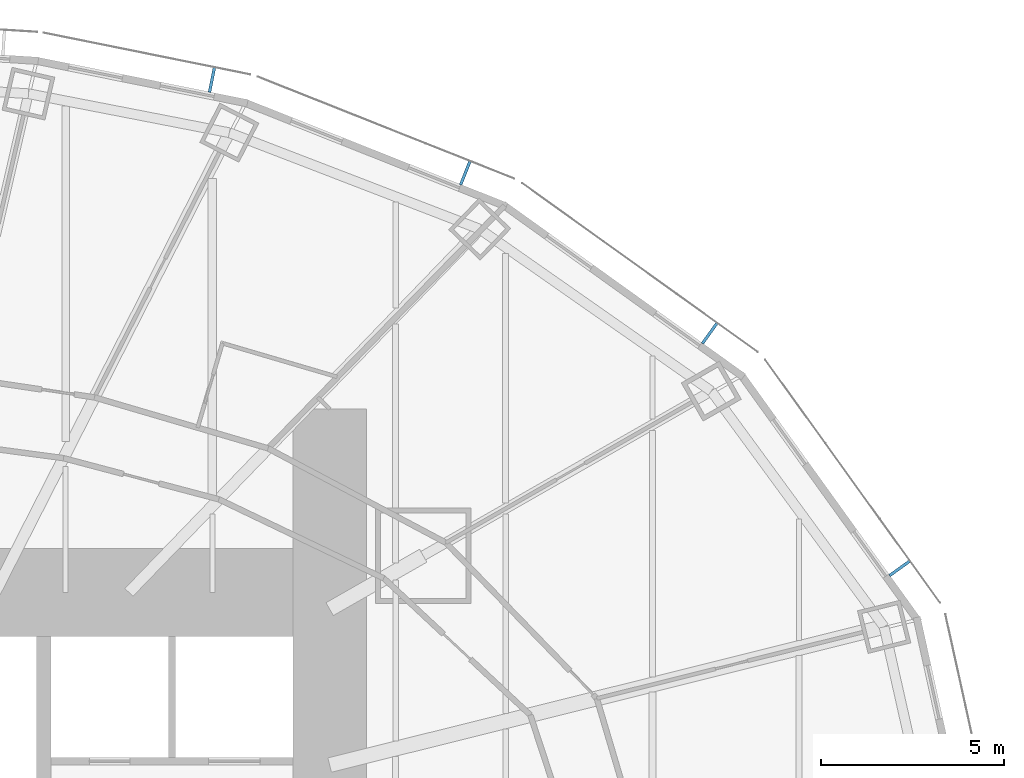
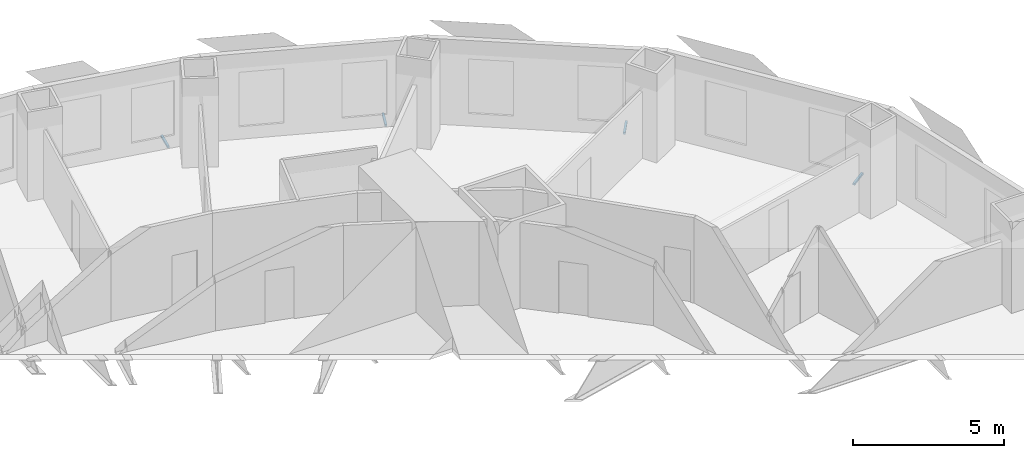
# One storey, part 12 of 15: 4 discrete accessories.
"""IFC4 building model written with IfcOpenShell, lengths in metres."""

from ifc_helpers import new_model, si_unit, direction, frame, origin, origin_2d, place, context, subcontext, project, spatial, rectangle, extrude, element, save


model = new_model("IFC4")

# Units and contexts
model_context = context("Model", 3, precision=1e-05, world=origin(), true_north=direction((0.0, 1.0)))
body_context = subcontext(model_context, "Body", "Model", "MODEL_VIEW")
ifc_project = project(units=[si_unit("LENGTHUNIT", "METRE"), si_unit("AREAUNIT", "SQUARE_METRE"), si_unit("VOLUMEUNIT", "CUBIC_METRE"), si_unit("PLANEANGLEUNIT", "RADIAN"), si_unit("MASSUNIT", "GRAM", prefix="KILO")], contexts=[model_context])

# Site, building, storey
site_placement = place(None, origin())
site = spatial("IfcSite", under=ifc_project, at=site_placement, CompositionType="ELEMENT")
building_placement = place(site_placement, origin())
building = spatial("IfcBuilding", under=site, at=building_placement, Name="Lantaw Convention Tower", CompositionType="ELEMENT")
storey_placement = place(building_placement, frame((0.0, 0.0, 76.60009765625)))
storey = spatial("IfcBuildingStorey", under=building, at=storey_placement, Name="L17", CompositionType="ELEMENT", Elevation=76.60009765625)

# Discrete accessories
for number, where, z_axis, x_axis, name in (
    (1, (28.745849609375, 8.65869140625, -0.115234375), (0.0, 0.0, 1.0), (-0.583951250436, 0.811788726895, 0.0), "Screen bracket"),
    (2, (23.564453125, 15.06640625, -0.115234375), (0.0, 0.0, 1.0), (-0.812803733199, 0.5825376308, 0.0), "Screen bracket"),
    (3, (16.898193359375, 19.4345703125, -0.115234375), (0.0, 0.0, 1.0), (-0.929361152748, 0.369171840425, 0.0), "Screen bracket"),
    (4, (9.990478515625, 21.974365234375, -0.115234375), (0.0, 0.0, 1.0), (-0.980244604501, 0.197789067813, 0.0), "Screen bracket"),
):
    element("IfcDiscreteAccessory", number, at=place(storey_placement, frame(where, z_axis=z_axis, x_axis=x_axis)), inside=storey, Name=name, PredefinedType="BRACKET", context=body_context, shape_type="SweptSolid", body=[
        extrude(rectangle(XDim=0.080078125, YDim=0.68798828125, at=origin_2d()), origin(), (0.0, 0.0, 1.0), 0.080078125),
    ])

save(model, "model.ifc")
